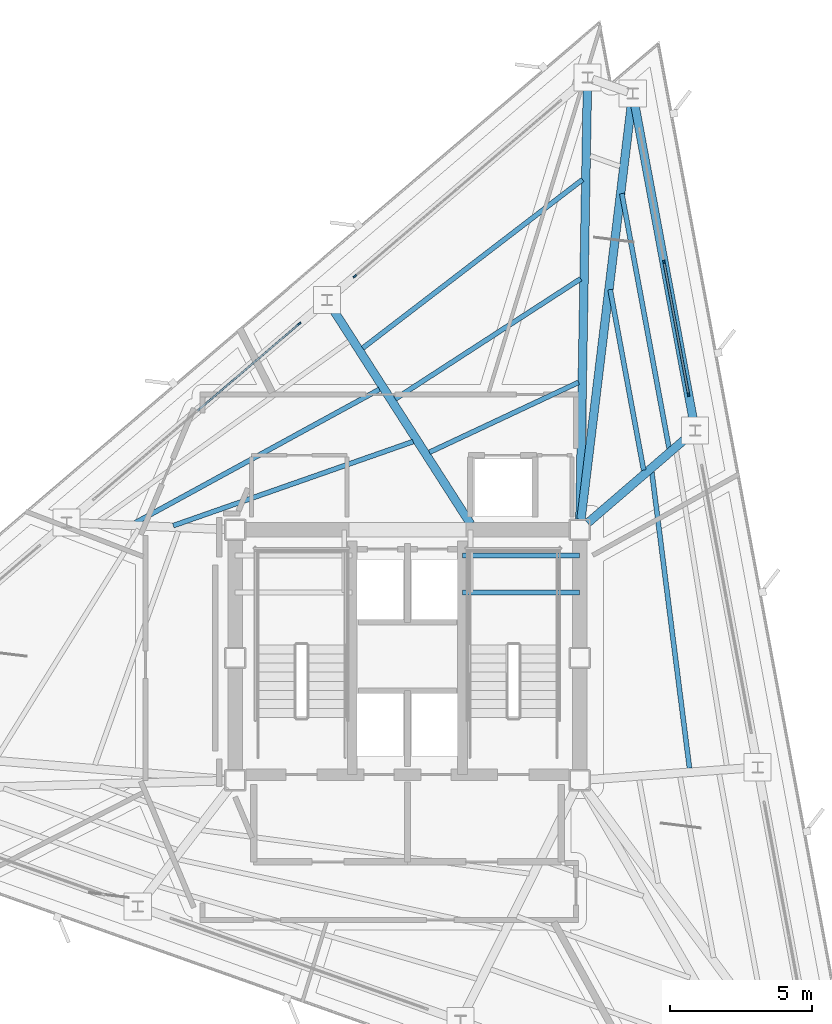
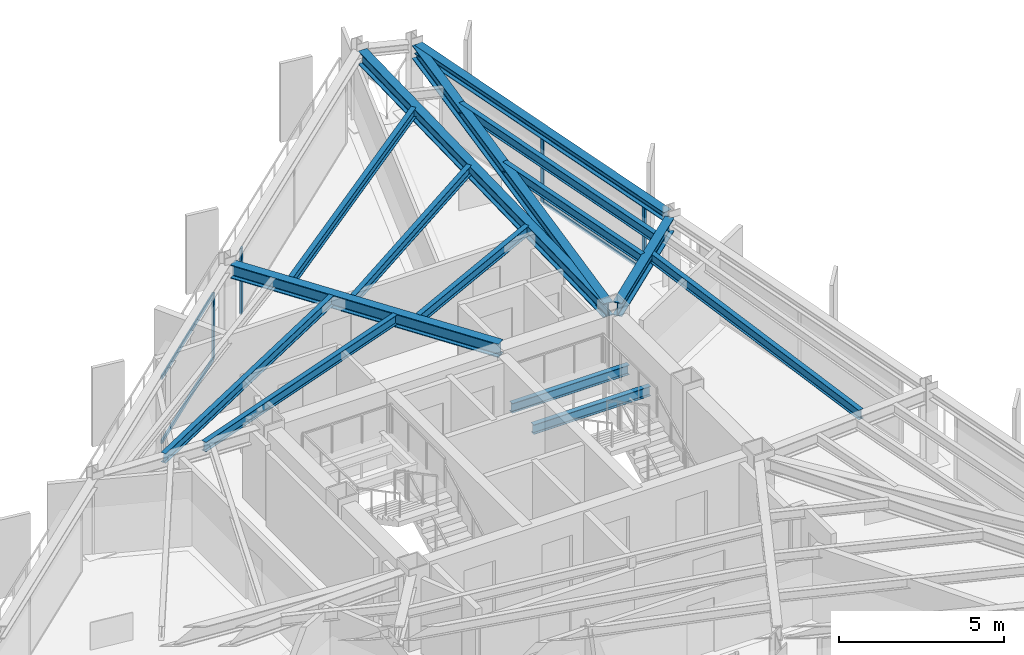
# One storey, part 5 of 14: 15 beams, 8 members, 3 elements without a shape of their own.
"""IFC4 building model written with IfcOpenShell, lengths in metres."""

from ifc_helpers import new_model, si_unit, direction, frame, origin, origin_2d, place, context, subcontext, project, spatial, rectangle, i_section, extrude, material, layer, layer_set, material_profile, profile_set, type_object, element, aggregate, save


model = new_model("IFC4")

# Units and contexts
model_context = context("Model", 3, precision=1e-05, world=origin(), true_north=direction((0.0, 1.0)))
body_context = subcontext(model_context, "Body", "Model", "MODEL_VIEW")
ifc_project = project(units=[si_unit("LENGTHUNIT", "METRE"), si_unit("AREAUNIT", "SQUARE_METRE"), si_unit("VOLUMEUNIT", "CUBIC_METRE"), si_unit("PLANEANGLEUNIT", "RADIAN"), si_unit("MASSUNIT", "GRAM", prefix="KILO")], contexts=[model_context])

# Site, building, storey
site_placement = place(None, origin())
site = spatial("IfcSite", under=ifc_project, at=site_placement, CompositionType="ELEMENT")
building_placement = place(site_placement, origin())
building = spatial("IfcBuilding", under=site, at=building_placement, Name="Rocaltana Carrier Exchange", CompositionType="ELEMENT")
storey_placement = place(building_placement, frame((0.0, 0.0, 175.360107421875)))
storey = spatial("IfcBuildingStorey", under=building, at=storey_placement, Name="L55", CompositionType="ELEMENT", Elevation=175.360107421875)

# Curtain wall, members
ifc_material_1 = material(Name="Aluminium 6063-T6", Category="aluminium")
ifc_layer = layer(ifc_material_1, 0.135009765625)
ifc_layer_set = layer_set([ifc_layer], Name="Aluminium 6063-T6")
curtain_wall_type = type_object("IfcCurtainWallType", Name="Upper-Mid Acoustic Curtain Wall CW-04", PredefinedType="NOTDEFINED", material=ifc_layer_set)
curtain_wall_1_placement = place(storey_placement, origin())
curtain_wall_1 = element("IfcCurtainWall", 1, at=curtain_wall_1_placement, inside=storey, type_object=curtain_wall_type, Name="L55 CW-04 Run CW-L55-F1S3", PredefinedType="NOTDEFINED")
ifc_material_2 = material(Name="Aluminium 6063-T6", Category="aluminium")
ifc_material_profile_1 = material_profile(ifc_material_2, rectangle(XDim=0.06494140625, YDim=0.135009765625, at=origin_2d()), Name="AL-65X135")
ifc_profile_set_1 = profile_set([ifc_material_profile_1], Name="Aluminium 6063-T6")
member_type_1 = type_object("IfcMemberType", Name="CW-04 Mullion AL-65X135", PredefinedType="MULLION", material=ifc_profile_set_1)
member_1_placement = place(storey_placement, frame((9.873046875, 9.25341796875, 0.0), z_axis=(0.0, 0.0, 1.0), x_axis=(-0.983254796134, -0.182236126712, 0.0)))
member_1 = element("IfcMember", 2, at=member_1_placement, type_object=member_type_1, Name="CW-04 mullion 1", PredefinedType="MULLION", context=body_context, shape_type="SweptSolid", body=[
    extrude(rectangle(XDim=0.06494140625, YDim=0.135009765625, at=origin_2d()), origin(), (0.0, 0.0, 1.0), 2.447998046875),
])
member_2_placement = place(storey_placement, frame((9.01025390625, 13.908203125, 0.0), z_axis=(0.0, 0.0, 1.0), x_axis=(-0.983254796134, -0.182236126712, 0.0)))
member_2 = element("IfcMember", 3, at=member_2_placement, type_object=member_type_1, Name="CW-04 mullion 2", PredefinedType="MULLION", context=body_context, shape_type="SweptSolid", body=[
    extrude(rectangle(XDim=0.06494140625, YDim=0.135009765625, at=origin_2d()), origin(), (0.0, 0.0, 1.0), 2.447998046875),
])

# Curtain wall, member
curtain_wall_2_placement = place(storey_placement, origin())
curtain_wall_2 = element("IfcCurtainWall", 4, at=curtain_wall_2_placement, inside=storey, type_object=curtain_wall_type, Name="L55 CW-04 Run CW-L55-F2S1", PredefinedType="NOTDEFINED")
member_3_placement = place(storey_placement, frame((-1.849365234375, 13.404541015625, 0.0), z_axis=(0.0, 0.0, 1.0), x_axis=(0.649447944918, -0.760406053922, 0.0)))
member_3 = element("IfcMember", 5, at=member_3_placement, type_object=member_type_1, Name="CW-04 mullion 3", PredefinedType="MULLION", context=body_context, shape_type="SweptSolid", body=[
    extrude(rectangle(XDim=0.06494140625, YDim=0.135009765625, at=origin_2d()), origin(), (0.0, 0.0, 1.0), 2.447998046875),
])
aggregate(curtain_wall_2, [member_3])

curtain_wall_3_placement = place(storey_placement, origin())
curtain_wall_3 = element("IfcCurtainWall", 6, at=curtain_wall_3_placement, inside=storey, type_object=curtain_wall_type, Name="L55 CW-04 Run CW-L55-F2S2", PredefinedType="NOTDEFINED")
member_4_placement = place(storey_placement, frame((-3.7998046875, 11.73876953125, 0.0), z_axis=(0.0, 0.0, 1.0), x_axis=(0.649454010067, -0.760400873756, 0.0)))
member_4 = element("IfcMember", 7, at=member_4_placement, type_object=member_type_1, Name="CW-04 mullion 1", PredefinedType="MULLION", context=body_context, shape_type="SweptSolid", body=[
    extrude(rectangle(XDim=0.06494140625, YDim=0.135009765625, at=origin_2d()), origin(), (0.0, 0.0, 1.0), 2.447998046875),
])

# Member
ifc_material_3 = material(Name="Aluminium 6063-T6", Category="aluminium")
ifc_material_profile_2 = material_profile(ifc_material_3, rectangle(XDim=0.06494140625, YDim=0.135009765625, at=origin_2d()), Name="AL-65X135")
ifc_profile_set_2 = profile_set([ifc_material_profile_2], Name="Aluminium 6063-T6")
member_type_2 = type_object("IfcMemberType", Name="CW-04 Transom AL-65X135", PredefinedType="USERDEFINED", material=ifc_profile_set_2)
member_5_placement = place(storey_placement, frame((9.866943359375, 9.285400390625, 0.032470703125), z_axis=(-0.182229691605, 0.983255988793, 0.0), x_axis=(-0.983255988793, -0.182229691605, 0.0)))
member_5 = element("IfcMember", 8, at=member_5_placement, type_object=member_type_2, Name="CW-04 transom 1.1", ObjectType="TRANSOM", PredefinedType="USERDEFINED", context=body_context, shape_type="SweptSolid", body=[
    extrude(rectangle(XDim=0.06494140625, YDim=0.135009765625, at=origin_2d()), origin(), (0.0, 0.0, 1.0), 4.6689453125),
])

member_6_placement = place(storey_placement, frame((9.866943359375, 9.285400390625, 2.415283203125), z_axis=(-0.182229691605, 0.983255988793, 0.0), x_axis=(-0.983255988793, -0.182229691605, 0.0)))
member_6 = element("IfcMember", 9, at=member_6_placement, type_object=member_type_2, Name="CW-04 transom 1.2", ObjectType="TRANSOM", PredefinedType="USERDEFINED", context=body_context, shape_type="SweptSolid", body=[
    extrude(rectangle(XDim=0.06494140625, YDim=0.135009765625, at=origin_2d()), origin(), (0.0, 0.0, 1.0), 4.6689453125),
])

aggregate(curtain_wall_1, [member_1, member_2, member_5, member_6])

member_7_placement = place(storey_placement, frame((-3.82470703125, 11.717529296875, 0.032470703125), z_axis=(-0.760381209804, -0.649477032525, 0.0), x_axis=(0.649477032525, -0.760381209804, 0.0)))
member_7 = element("IfcMember", 10, at=member_7_placement, type_object=member_type_2, Name="CW-04 transom 1.1", ObjectType="TRANSOM", PredefinedType="USERDEFINED", context=body_context, shape_type="SweptSolid", body=[
    extrude(rectangle(XDim=0.06494140625, YDim=0.135009765625, at=origin_2d()), origin(), (0.0, 0.0, 1.0), 4.669189453125),
])

member_8_placement = place(storey_placement, frame((-3.82470703125, 11.717529296875, 2.415283203125), z_axis=(-0.760381209804, -0.649477032525, 0.0), x_axis=(0.649477032525, -0.760381209804, 0.0)))
member_8 = element("IfcMember", 11, at=member_8_placement, type_object=member_type_2, Name="CW-04 transom 1.2", ObjectType="TRANSOM", PredefinedType="USERDEFINED", context=body_context, shape_type="SweptSolid", body=[
    extrude(rectangle(XDim=0.06494140625, YDim=0.135009765625, at=origin_2d()), origin(), (0.0, 0.0, 1.0), 4.669189453125),
])

aggregate(curtain_wall_3, [member_4, member_7, member_8])

# Beams
ifc_material_4 = material(Name="Steel S355", Category="steel")
ifc_material_profile_3 = material_profile(ifc_material_4, i_section(OverallWidth=0.172119140625, OverallDepth=0.35791015625, WebThickness=0.0078125, FlangeThickness=0.01318359375, FilletRadius=0.011962890625, at=origin_2d()), Name="W14X38")
ifc_profile_set_3 = profile_set([ifc_material_profile_3], Name="Steel S355")
beam_type_1 = type_object("IfcBeamType", Name="Floor Joist W14X38", PredefinedType="JOIST", material=ifc_profile_set_3)
for number, where, z_axis, x_axis, name in (
    (12, (1.93994140625, 2.300048828125, 1.140869140625), (1.0, 0.0, 0.0), (0.0, 1.0, 0.0), "L55 ST-2 Landing Carrier 1"),
    (13, (1.93994140625, 3.60009765625, 1.140869140625), (1.0, 0.0, 0.0), (0.0, 1.0, 0.0), "L55 ST-2 Landing Carrier 2"),
):
    element("IfcBeam", number, at=place(storey_placement, frame(where, z_axis=z_axis, x_axis=x_axis)), inside=storey, type_object=beam_type_1, Name=name, PredefinedType="JOIST", context=body_context, shape_type="SweptSolid", body=[
        extrude(i_section(OverallWidth=0.172119140625, OverallDepth=0.35791015625, WebThickness=0.0078125, FlangeThickness=0.01318359375, FilletRadius=0.011962890625, at=origin_2d()), origin(), (0.0, 0.0, 1.0), 4.110107421875),
    ])
beam_1_placement = place(storey_placement, frame((9.906494140625, -3.87158203125, 2.618896484375), z_axis=(-0.126288464716, 0.991993560301, 0.0), x_axis=(-0.991993560301, -0.126288464716, 0.0)))
element("IfcBeam", 14, at=beam_1_placement, inside=storey, type_object=beam_type_1, Name="FJ-L55-02-2", PredefinedType="JOIST", context=body_context, shape_type="SweptSolid", body=[
    extrude(i_section(OverallWidth=0.172119140625, OverallDepth=0.35791015625, WebThickness=0.0078125, FlangeThickness=0.01318359375, FilletRadius=0.011962890625, at=origin_2d()), origin(), (0.0, 0.0, 1.0), 10.47802734375),
])
beam_2_placement = place(storey_placement, frame((8.29541015625, 6.597412109375, 2.618896484375), z_axis=(-0.182201749781, 0.983261166922, 0.0), x_axis=(-0.983261166922, -0.182201749781, 0.0)))
element("IfcBeam", 15, at=beam_2_placement, inside=storey, type_object=beam_type_1, Name="FJ-L55-03-2", PredefinedType="JOIST", context=body_context, shape_type="SweptSolid", body=[
    extrude(i_section(OverallWidth=0.172119140625, OverallDepth=0.35791015625, WebThickness=0.0078125, FlangeThickness=0.01318359375, FilletRadius=0.011962890625, at=origin_2d()), origin(), (0.0, 0.0, 1.0), 6.450439453125),
])
beam_3_placement = place(storey_placement, frame((9.18798828125, 7.365478515625, 2.618896484375), z_axis=(-0.18223051112, 0.98325583691, 0.0), x_axis=(-0.98325583691, -0.18223051112, 0.0)))
element("IfcBeam", 16, at=beam_3_placement, inside=storey, type_object=beam_type_1, Name="FJ-L55-03-3", PredefinedType="JOIST", context=body_context, shape_type="SweptSolid", body=[
    extrude(i_section(OverallWidth=0.172119140625, OverallDepth=0.35791015625, WebThickness=0.0078125, FlangeThickness=0.01318359375, FilletRadius=0.011962890625, at=origin_2d()), origin(), (0.0, 0.0, 1.0), 9.09814453125),
])
beam_4_placement = place(storey_placement, frame((6.010498046875, 9.681396484375, 2.618896484375), z_axis=(-0.905370731106, -0.42462199573, 0.0), x_axis=(0.42462199573, -0.905370731106, 0.0)))
element("IfcBeam", 17, at=beam_4_placement, inside=storey, type_object=beam_type_1, Name="FJ-L55-05-1", PredefinedType="JOIST", context=body_context, shape_type="SweptSolid", body=[
    extrude(i_section(OverallWidth=0.172119140625, OverallDepth=0.35791015625, WebThickness=0.0078125, FlangeThickness=0.01318359375, FilletRadius=0.011962890625, at=origin_2d()), origin(), (0.0, 0.0, 1.0), 5.78515625),
])
beam_5_placement = place(storey_placement, frame((6.08349609375, 13.318115234375, 2.618896484375), z_axis=(-0.839155380269, -0.543891761075, 0.0), x_axis=(0.543891761075, -0.839155380269, 0.0)))
element("IfcBeam", 18, at=beam_5_placement, inside=storey, type_object=beam_type_1, Name="FJ-L55-05-2", PredefinedType="JOIST", context=body_context, shape_type="SweptSolid", body=[
    extrude(i_section(OverallWidth=0.172119140625, OverallDepth=0.35791015625, WebThickness=0.0078125, FlangeThickness=0.01318359375, FilletRadius=0.011962890625, at=origin_2d()), origin(), (0.0, 0.0, 1.0), 7.75830078125),
])
beam_6_placement = place(storey_placement, frame((6.150634765625, 16.803955078125, 2.618896484375), z_axis=(-0.793620898392, -0.608412581753, 0.0), x_axis=(0.608412581753, -0.793620898392, 0.0)))
element("IfcBeam", 19, at=beam_6_placement, inside=storey, type_object=beam_type_1, Name="FJ-L55-05-3", PredefinedType="JOIST", context=body_context, shape_type="SweptSolid", body=[
    extrude(i_section(OverallWidth=0.172119140625, OverallDepth=0.35791015625, WebThickness=0.0078125, FlangeThickness=0.01318359375, FilletRadius=0.011962890625, at=origin_2d()), origin(), (0.0, 0.0, 1.0), 9.73095703125),
])
beam_7_placement = place(storey_placement, frame((0.196044921875, 7.600341796875, 2.618896484375), z_axis=(-0.943672237623, -0.330881712913, 0.0), x_axis=(0.330881712913, -0.943672237623, 0.0)))
element("IfcBeam", 20, at=beam_7_placement, inside=storey, type_object=beam_type_1, Name="FJ-L55-06-1", PredefinedType="JOIST", context=body_context, shape_type="SweptSolid", body=[
    extrude(i_section(OverallWidth=0.172119140625, OverallDepth=0.35791015625, WebThickness=0.0078125, FlangeThickness=0.01318359375, FilletRadius=0.011962890625, at=origin_2d()), origin(), (0.0, 0.0, 1.0), 8.923583984375),
])
beam_8_placement = place(storey_placement, frame((-0.984619140625, 9.435302734375, 2.618896484375), z_axis=(-0.877487444281, -0.479599609184, 0.0), x_axis=(0.479599609184, -0.877487444281, 0.0)))
element("IfcBeam", 21, at=beam_8_placement, inside=storey, type_object=beam_type_1, Name="FJ-L55-06-2", PredefinedType="JOIST", context=body_context, shape_type="SweptSolid", body=[
    extrude(i_section(OverallWidth=0.172119140625, OverallDepth=0.35791015625, WebThickness=0.0078125, FlangeThickness=0.01318359375, FilletRadius=0.011962890625, at=origin_2d()), origin(), (0.0, 0.0, 1.0), 9.81494140625),
])
ifc_material_5 = material(Name="Steel S355", Category="steel")
ifc_material_profile_4 = material_profile(ifc_material_5, i_section(OverallWidth=0.300048828125, OverallDepth=0.320068359375, WebThickness=0.011474609375, FlangeThickness=0.0205078125, FilletRadius=0.027099609375, at=origin_2d()), Name="HEB320")
ifc_profile_set_4 = profile_set([ifc_material_profile_4], Name="Steel S355")
beam_type_2 = type_object("IfcBeamType", Name="Spandrel Edge Beam HEB320", PredefinedType="SPANDREL", material=ifc_profile_set_4)
beam_9_placement = place(storey_placement, frame((10.072998046875, 8.1748046875, 2.637939453125), z_axis=(-0.182255678448, 0.983251172221, 0.0), x_axis=(-0.983251172221, -0.182255678448, 0.0)))
element("IfcBeam", 22, at=beam_9_placement, inside=storey, type_object=beam_type_2, Name="SP-L55-03", PredefinedType="SPANDREL", context=body_context, shape_type="SweptSolid", body=[
    extrude(i_section(OverallWidth=0.300048828125, OverallDepth=0.320068359375, WebThickness=0.011474609375, FlangeThickness=0.0205078125, FilletRadius=0.027099609375, at=origin_2d()), origin(), (0.0, 0.0, 1.0), 11.662109375),
])
ifc_material_6 = material(Name="Steel S355", Category="steel")
ifc_material_profile_5 = material_profile(ifc_material_6, i_section(OverallWidth=0.300048828125, OverallDepth=0.5, WebThickness=0.014404296875, FlangeThickness=0.028076171875, FilletRadius=0.027099609375, at=origin_2d()), Name="HEB500")
ifc_profile_set_5 = profile_set([ifc_material_profile_5], Name="Steel S355")
beam_type_3 = type_object("IfcBeamType", Name="Upper Radial Girder HEB500", PredefinedType="BEAM", material=ifc_profile_set_5)
beam_10_placement = place(storey_placement, frame((6.328125, 4.739501953125, 2.5478515625), z_axis=(0.757854718063, 0.652423348991, 0.0), x_axis=(-0.652423348991, 0.757854718063, 0.0)))
element("IfcBeam", 23, at=beam_10_placement, inside=storey, type_object=beam_type_3, Name="RG-L55-03", PredefinedType="BEAM", context=body_context, shape_type="SweptSolid", body=[
    extrude(i_section(OverallWidth=0.300048828125, OverallDepth=0.5, WebThickness=0.014404296875, FlangeThickness=0.028076171875, FilletRadius=0.027099609375, at=origin_2d()), origin(), (0.0, 0.0, 1.0), 4.80029296875),
])
beam_11_placement = place(storey_placement, frame((6.09423828125, 4.8642578125, 2.5478515625), z_axis=(0.120737437197, 0.992684477193, 0.0), x_axis=(-0.992684477193, 0.120737437197, 0.0)))
element("IfcBeam", 24, at=beam_11_placement, inside=storey, type_object=beam_type_3, Name="RG-L55-04", PredefinedType="BEAM", context=body_context, shape_type="SweptSolid", body=[
    extrude(i_section(OverallWidth=0.300048828125, OverallDepth=0.5, WebThickness=0.014404296875, FlangeThickness=0.028076171875, FilletRadius=0.027099609375, at=origin_2d()), origin(), (0.0, 0.0, 1.0), 14.884521484375),
])
beam_12_placement = place(storey_placement, frame((6.056396484375, 4.866943359375, 2.5478515625), z_axis=(0.017335674052, 0.999849725911, 0.0), x_axis=(-0.999849725911, 0.017335674052, 0.0)))
element("IfcBeam", 25, at=beam_12_placement, inside=storey, type_object=beam_type_3, Name="RG-L55-05", PredefinedType="BEAM", context=body_context, shape_type="SweptSolid", body=[
    extrude(i_section(OverallWidth=0.300048828125, OverallDepth=0.5, WebThickness=0.014404296875, FlangeThickness=0.028076171875, FilletRadius=0.027099609375, at=origin_2d()), origin(), (0.0, 0.0, 1.0), 15.33642578125),
])
beam_13_placement = place(storey_placement, frame((2.219482421875, 4.70361328125, 2.5478515625), z_axis=(-0.539721329294, 0.841843742452, 0.0), x_axis=(-0.841843742452, -0.539721329294, 0.0)))
element("IfcBeam", 26, at=beam_13_placement, inside=storey, type_object=beam_type_3, Name="RG-L55-06", PredefinedType="BEAM", context=body_context, shape_type="SweptSolid", body=[
    extrude(i_section(OverallWidth=0.300048828125, OverallDepth=0.5, WebThickness=0.014404296875, FlangeThickness=0.028076171875, FilletRadius=0.027099609375, at=origin_2d()), origin(), (0.0, 0.0, 1.0), 9.160400390625),
])

save(model, "model.ifc")
